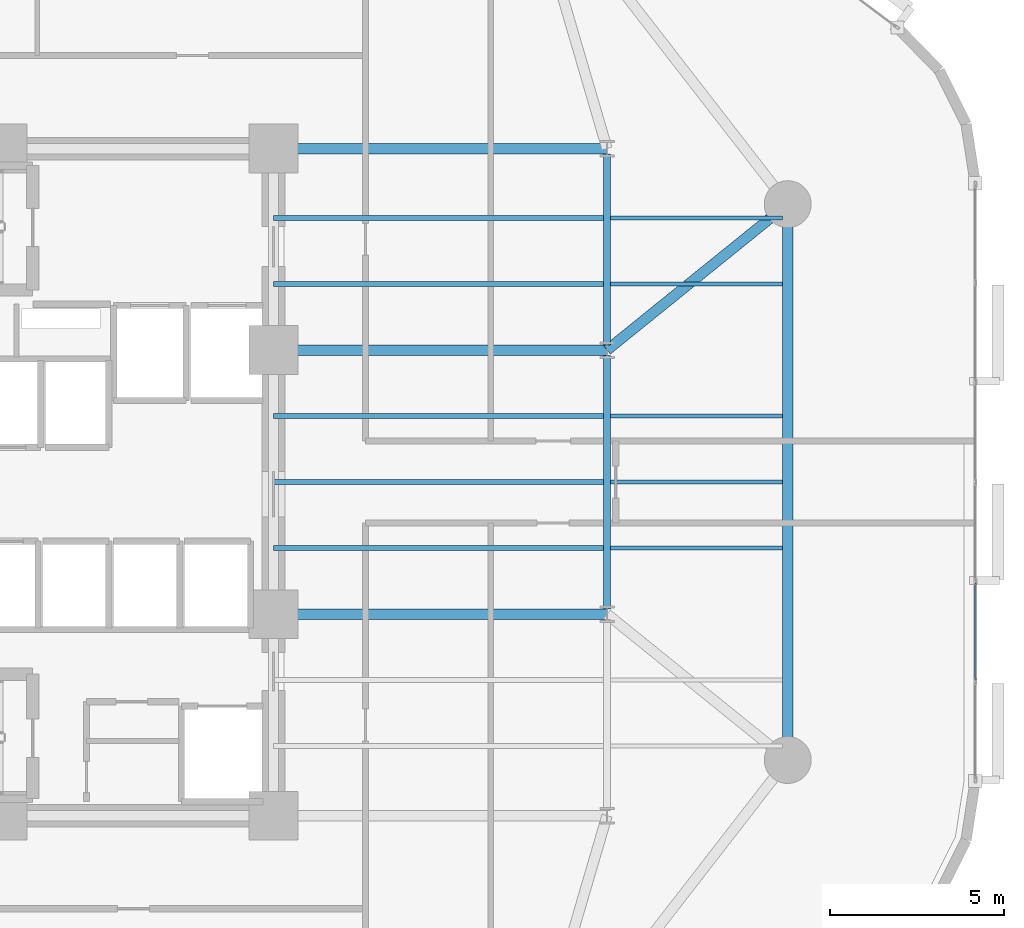
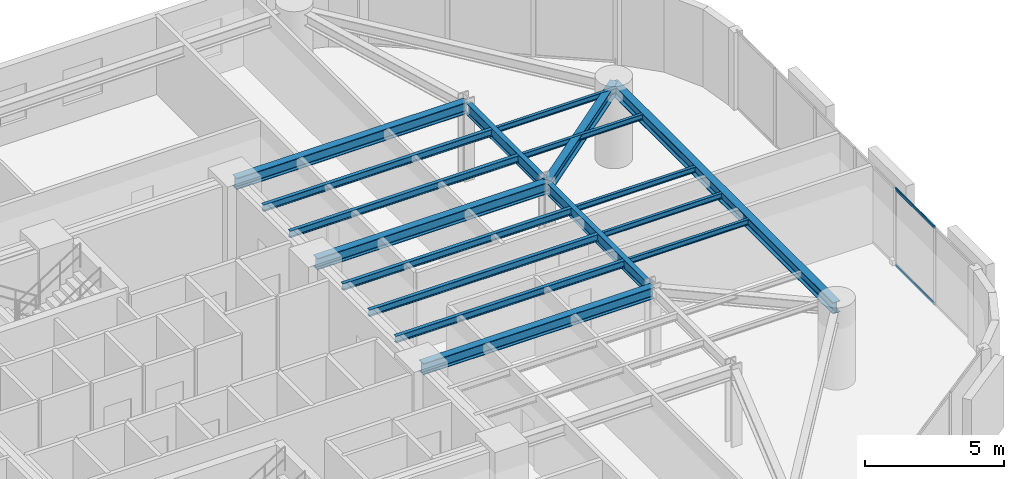
# One storey, part 5 of 15: 17 beams, 2 members, 1 element without a shape of its own.
"""IFC4 building model written with IfcOpenShell, lengths in metres."""

import ifcopenshell
import ifcopenshell.guid

model = None  # the IFC model being written
_history = None  # IfcOwnerHistory: only IFC2X3 demands one
_inside = {}  # id of a spatial element -> (the spatial element, [elements in it])
_under = {}  # id of a project, library or spatial element -> (it, [spatial elements below it])
_declared = {}  # id of a project -> (the project, [libraries it declares])
_typed = {}  # id of a type object -> (the type object, [elements of that type])
_made_of = {}  # id of a material, layer set ... -> (it, [elements and type objects made of it])


def new_model(schema):
    """Start an empty IFC model of exactly this schema.

    Asked for "IFC4X3", IfcOpenShell would pick the latest addendum, in which some entities
    have other attributes; the version numbers below select the first issue.
    IFC2X3 requires an IfcOwnerHistory on every rooted entity: one is made here for all.
    """
    global model, _history
    if schema == "IFC4X3":
        model = ifcopenshell.file(schema_version=(4, 3, 0, 0))
    else:
        model = ifcopenshell.file(schema=schema)
    _inside.clear()
    _under.clear()
    _declared.clear()
    _typed.clear()
    _made_of.clear()
    _history = None
    if model.schema == "IFC2X3":
        org = make("IfcOrganization", Name="unknown")
        user = make(
            "IfcPersonAndOrganization",
            ThePerson=make("IfcPerson", FamilyName="unknown"),
            TheOrganization=org,
        )
        app = make(
            "IfcApplication",
            ApplicationDeveloper=org,
            Version="unknown",
            ApplicationFullName="unknown",
            ApplicationIdentifier="unknown",
        )
        _history = make(
            "IfcOwnerHistory",
            OwningUser=user,
            OwningApplication=app,
            ChangeAction="ADDED",
            CreationDate=0,
        )
    return model


def make(cls, **values):
    """One entity of the class cls with the attributes given. An attribute that is None is left unset."""
    return model.create_entity(
        cls, **{name: value for name, value in values.items() if value is not None}
    )


def rooted(cls, **values):
    """An entity with a GlobalId (a new one), such as an element, a storey or a relation."""
    return make(cls, GlobalId=ifcopenshell.guid.new(), OwnerHistory=_history, **values)


def si_unit(unit_type, name, prefix=None):
    """IfcSIUnit, for example si_unit("LENGTHUNIT", "METRE", prefix="MILLI")."""
    return make("IfcSIUnit", UnitType=unit_type, Prefix=prefix, Name=name)


def assignment(units):
    """IfcUnitAssignment: the units of a project."""
    return None if units is None else make("IfcUnitAssignment", Units=units)


def point(xyz):
    """IfcCartesianPoint."""
    return None if xyz is None else make("IfcCartesianPoint", Coordinates=xyz)


def direction(xyz):
    """IfcDirection."""
    return None if xyz is None else make("IfcDirection", DirectionRatios=xyz)


def frame(location, z_axis=None, x_axis=None):
    """IfcAxis2Placement3D, a coordinate frame: its origin and axes. An axis left out is left unset."""
    return make(
        "IfcAxis2Placement3D",
        Location=point(location),
        Axis=direction(z_axis),
        RefDirection=direction(x_axis),
    )


def frame_2d(location, x_axis=None):
    """IfcAxis2Placement2D, a coordinate frame in the plane: its origin and x axis."""
    return make(
        "IfcAxis2Placement2D", Location=point(location), RefDirection=direction(x_axis)
    )


def origin():
    """The frame at (0, 0, 0) with its axes left unset."""
    return frame((0.0, 0.0, 0.0))


def origin_2d():
    """The frame at (0, 0) in the plane with its x axis left unset."""
    return frame_2d((0.0, 0.0))


def place(relative_to, where):
    """IfcLocalPlacement: puts the frame where relative to a parent placement (None: the world)."""
    return make(
        "IfcLocalPlacement", PlacementRelTo=relative_to, RelativePlacement=where
    )


def context(
    kind, dimensions, precision=None, world=None, true_north=None, identifier=None
):
    """IfcGeometricRepresentationContext, for example the 3D "Model" context."""
    return make(
        "IfcGeometricRepresentationContext",
        ContextIdentifier=identifier,
        ContextType=kind,
        CoordinateSpaceDimension=dimensions,
        Precision=precision,
        WorldCoordinateSystem=world,
        TrueNorth=true_north,
    )


def subcontext(parent, identifier, kind, view, scale=None):
    """IfcGeometricRepresentationSubContext, for example "Body" below "Model"."""
    return make(
        "IfcGeometricRepresentationSubContext",
        ContextIdentifier=identifier,
        ContextType=kind,
        ParentContext=parent,
        TargetScale=scale,
        TargetView=view,
    )


def project(units=None, contexts=None):
    """IfcProject with its units and contexts."""
    return rooted(
        "IfcProject",
        Name="project",
        RepresentationContexts=contexts,
        UnitsInContext=assignment(units),
    )


def spatial(cls, under=None, at=None, **own):
    """A site, building, storey or space (cls), placed at a placement, below another one or the project."""
    s = rooted(cls, ObjectPlacement=at, **own)
    if under is not None:
        _under.setdefault(under.id(), (under, []))[1].append(s)
    return s


def profile(cls, at=None, kind="AREA", **sizes):
    """A parametric profile (cls). Its sizes go by their IFC names, for example OverallWidth=200.0."""
    return make(cls, ProfileType=kind, Position=at, **sizes)


def hollow_rectangle(**sizes):
    """IfcRectangleHollowProfileDef."""
    return profile("IfcRectangleHollowProfileDef", **sizes)


def i_section(**sizes):
    """IfcIShapeProfileDef."""
    return profile("IfcIShapeProfileDef", **sizes)


def extrude(swept, where, along, depth):
    """IfcExtrudedAreaSolid: the profile swept, set in the frame where, extruded along a direction by depth."""
    return make(
        "IfcExtrudedAreaSolid",
        SweptArea=swept,
        Position=where,
        ExtrudedDirection=direction(along),
        Depth=depth,
    )


def shape(context_of_items, identifier, shape_type, items):
    """IfcShapeRepresentation: the items that make up one representation, for example the "Body"."""
    return make(
        "IfcShapeRepresentation",
        ContextOfItems=context_of_items,
        RepresentationIdentifier=identifier,
        RepresentationType=shape_type,
        Items=items,
    )


def material(Name=None, Category=None):
    """IfcMaterial."""
    return make("IfcMaterial", Name=Name, Category=Category)


def layer(
    of_material, thickness, ventilated=None, Name=None, Category=None, Priority=None
):
    """IfcMaterialLayer: one layer of a wall or slab, of a material (None: an air gap)."""
    return make(
        "IfcMaterialLayer",
        Material=of_material,
        LayerThickness=thickness,
        IsVentilated=ventilated,
        Name=Name,
        Category=Category,
        Priority=Priority,
    )


def layer_set(layers, Name=None):
    """IfcMaterialLayerSet."""
    return make("IfcMaterialLayerSet", MaterialLayers=layers, LayerSetName=Name)


def material_profile(
    of_material, cross_section, Name=None, Category=None, Priority=None
):
    """IfcMaterialProfile: a cross section and its material."""
    return make(
        "IfcMaterialProfile",
        Name=Name,
        Material=of_material,
        Profile=cross_section,
        Priority=Priority,
        Category=Category,
    )


def profile_set(profiles, Name=None, composite=None):
    """IfcMaterialProfileSet."""
    return make(
        "IfcMaterialProfileSet",
        Name=Name,
        MaterialProfiles=profiles,
        CompositeProfile=composite,
    )


def made_of(thing, what):
    """Note that an element or type object is made of a material, layer set ...; save() writes the relation."""
    if what is not None:
        _made_of.setdefault(what.id(), (what, []))[1].append(thing)
    return thing


def type_object(cls, material=None, **own):
    """A type object (cls), such as IfcWallType, which elements share."""
    return made_of(rooted(cls, **own), material)


def element(
    cls,
    number,
    at=None,
    inside=None,
    cuts=None,
    type_object=None,
    material=None,
    context=None,
    identifier="Body",
    shape_type=None,
    held_by="IfcProductDefinitionShape",
    body=None,
    shapes=None,
    **own,
):
    """One element of the class cls, such as IfcWall. Its Tag is "e" and its number.

    at: its placement. inside: the storey or other place that contains it. cuts: it is an
    opening in that element (IfcRelVoidsElement). A single representation is given by context,
    identifier, shape_type and body (its items); several are given by shapes. held_by: the class
    of the entity that holds the representations. save() writes the other relations.
    """
    e = rooted(cls, Tag="e%d" % number, ObjectPlacement=at, **own)
    if body is not None:
        shapes = [shape(context, identifier, shape_type, body)]
    if shapes is not None:
        e.Representation = make(held_by, Representations=shapes)
    if inside is not None:
        _inside.setdefault(inside.id(), (inside, []))[1].append(e)
    if cuts is not None:
        rooted(
            "IfcRelVoidsElement", RelatingBuildingElement=cuts, RelatedOpeningElement=e
        )
    if type_object is not None:
        _typed.setdefault(type_object.id(), (type_object, []))[1].append(e)
    return made_of(e, material)


def aggregate(whole, parts):
    """IfcRelAggregates: a whole, such as a stair, and the parts it consists of."""
    return rooted("IfcRelAggregates", RelatingObject=whole, RelatedObjects=parts)


def save(model, path):
    """Write the relations noted so far, then the file.

    IfcRelAggregates (storeys below a building ...), IfcRelContainedInSpatialStructure (elements
    in a storey), IfcRelDefinesByType, IfcRelAssociatesMaterial and IfcRelDeclares: one each for
    every whole, place, type object, material and project.
    """
    for whole, parts in _under.values():
        aggregate(whole, parts)
    for where, things in _inside.values():
        rooted(
            "IfcRelContainedInSpatialStructure",
            RelatedElements=things,
            RelatingStructure=where,
        )
    for kind, things in _typed.values():
        rooted("IfcRelDefinesByType", RelatedObjects=things, RelatingType=kind)
    for what, things in _made_of.values():
        rooted("IfcRelAssociatesMaterial", RelatedObjects=things, RelatingMaterial=what)
    for by, libraries in _declared.values():
        rooted("IfcRelDeclares", RelatingContext=by, RelatedDefinitions=libraries)
    model.write(path)


model = new_model("IFC4")

# Units and contexts
model_context = context("Model", 3, precision=1e-05, world=origin(), true_north=direction((0.0, 1.0)))
body_context = subcontext(model_context, "Body", "Model", "MODEL_VIEW")
ifc_project = project(units=[si_unit("LENGTHUNIT", "METRE"), si_unit("AREAUNIT", "SQUARE_METRE"), si_unit("VOLUMEUNIT", "CUBIC_METRE"), si_unit("PLANEANGLEUNIT", "RADIAN"), si_unit("MASSUNIT", "GRAM", prefix="KILO")], contexts=[model_context])

# Site, building, storey
site_placement = place(None, origin())
site = spatial("IfcSite", under=ifc_project, at=site_placement, CompositionType="ELEMENT")
building_placement = place(site_placement, origin())
building = spatial("IfcBuilding", under=site, at=building_placement, Name="An Khanh Terracotta Commons", CompositionType="ELEMENT")
storey_placement = place(building_placement, frame((0.0, 0.0, 86.300048828125)))
storey = spatial("IfcBuildingStorey", under=building, at=storey_placement, Name="L22", CompositionType="ELEMENT", Elevation=86.300048828125)

# Beams
ifc_material_1 = material(Name="Steel S355J2", Category="steel")
ifc_material_profile_1 = material_profile(ifc_material_1, i_section(OverallWidth=0.300048828125, OverallDepth=0.5, WebThickness=0.014404296875, FlangeThickness=0.028076171875, FilletRadius=0.027099609375, at=origin_2d()), Name="HEB500")
ifc_profile_set_1 = profile_set([ifc_material_profile_1], Name="Steel S355J2")
beam_type_1 = type_object("IfcBeamType", Name="BM-HEB500", PredefinedType="BEAM", material=ifc_profile_set_1)
beam_1_placement = place(storey_placement, frame((52.0, 16.0, 3.14990234375), z_axis=(0.0, 1.0, 0.0), x_axis=(-1.0, 0.0, 0.0)))
element("IfcBeam", 1, at=beam_1_placement, inside=storey, type_object=beam_type_1, Name="L22 Perimeter Ring Spandrel 3", PredefinedType="BEAM", context=body_context, shape_type="SweptSolid", body=[
    extrude(i_section(OverallWidth=0.300048828125, OverallDepth=0.5, WebThickness=0.014404296875, FlangeThickness=0.028076171875, FilletRadius=0.027099609375, at=origin_2d()), origin(), (0.0, 0.0, 1.0), 16.0),
])
for number, where, z_axis, x_axis, name in (
    (2, (37.199951171875, 20.199951171875, 3.14990234375), (1.0, 0.0, 0.0), (0.0, 1.0, 0.0), "L22 East Primary Floor Girder 2"),
    (3, (37.199951171875, 27.800048828125, 3.14990234375), (1.0, 0.0, 0.0), (0.0, 1.0, 0.0), "L22 East Primary Floor Girder 3"),
    (4, (37.199951171875, 33.60009765625, 3.14990234375), (1.0, 0.0, 0.0), (0.0, 1.0, 0.0), "L22 East Primary Floor Girder 4"),
):
    element("IfcBeam", number, at=place(storey_placement, frame(where, z_axis=z_axis, x_axis=x_axis)), inside=storey, type_object=beam_type_1, Name=name, PredefinedType="BEAM", context=body_context, shape_type="SweptSolid", body=[
        extrude(i_section(OverallWidth=0.300048828125, OverallDepth=0.5, WebThickness=0.014404296875, FlangeThickness=0.028076171875, FilletRadius=0.027099609375, at=origin_2d()), origin(), (0.0, 0.0, 1.0), 9.60009765625),
    ])
beam_2_placement = place(storey_placement, frame((52.0, 32.0, 3.14990234375), z_axis=(-0.777941866883, -0.628336256913, 0.0), x_axis=(0.628336256913, -0.777941866883, 0.0)))
element("IfcBeam", 5, at=beam_2_placement, inside=storey, type_object=beam_type_1, Name="L22 Mega-Column Tie Girder 4", PredefinedType="BEAM", context=body_context, shape_type="SweptSolid", body=[
    extrude(i_section(OverallWidth=0.300048828125, OverallDepth=0.5, WebThickness=0.014404296875, FlangeThickness=0.028076171875, FilletRadius=0.027099609375, at=origin_2d()), origin(), (0.0, 0.0, 1.0), 6.684326171875),
])
ifc_material_profile_2 = material_profile(ifc_material_1, i_section(OverallWidth=0.1201171875, OverallDepth=0.239990234375, WebThickness=0.006103515625, FlangeThickness=0.009765625, FilletRadius=0.014892578125, at=origin_2d()), Name="IPE240")
ifc_profile_set_2 = profile_set([ifc_material_profile_2], Name="Steel S355J2")
beam_type_2 = type_object("IfcBeamType", Name="BM-IPE240", PredefinedType="JOIST", material=ifc_profile_set_2)
for number, where, z_axis, x_axis, name in (
    (6, (46.89990234375, 22.10009765625, 3.280029296875), (1.0, 0.0, 0.0), (0.0, 1.0, 0.0), "L22 Riverfront Composite Joist 3"),
    (7, (46.89990234375, 24.0, 3.280029296875), (1.0, 0.0, 0.0), (0.0, 1.0, 0.0), "L22 Riverfront Composite Joist 4"),
    (8, (46.89990234375, 25.89990234375, 3.280029296875), (1.0, 0.0, 0.0), (0.0, 1.0, 0.0), "L22 Riverfront Composite Joist 5"),
    (9, (46.89990234375, 29.699951171875, 3.280029296875), (1.0, 0.0, 0.0), (0.0, 1.0, 0.0), "L22 Riverfront Composite Joist 6"),
    (10, (46.89990234375, 31.60009765625, 3.280029296875), (1.0, 0.0, 0.0), (0.0, 1.0, 0.0), "L22 Riverfront Composite Joist 7"),
):
    element("IfcBeam", number, at=place(storey_placement, frame(where, z_axis=z_axis, x_axis=x_axis)), inside=storey, type_object=beam_type_2, Name=name, PredefinedType="JOIST", context=body_context, shape_type="SweptSolid", body=[
        extrude(i_section(OverallWidth=0.1201171875, OverallDepth=0.239990234375, WebThickness=0.006103515625, FlangeThickness=0.009765625, FilletRadius=0.014892578125, at=origin_2d()), origin(), (0.0, 0.0, 1.0), 4.9501953125),
    ])
ifc_material_profile_3 = material_profile(ifc_material_1, i_section(OverallWidth=0.14990234375, OverallDepth=0.300048828125, WebThickness=0.007080078125, FlangeThickness=0.0107421875, FilletRadius=0.014892578125, at=origin_2d()), Name="IPE300")
ifc_profile_set_3 = profile_set([ifc_material_profile_3], Name="Steel S355J2")
beam_type_3 = type_object("IfcBeamType", Name="BM-IPE300", PredefinedType="JOIST", material=ifc_profile_set_3)
for number, where, z_axis, x_axis, name in (
    (11, (37.199951171875, 22.10009765625, 3.25), (1.0, 0.0, 0.0), (0.0, 1.0, 0.0), "L22 Inboard Composite Joist 3"),
    (12, (37.199951171875, 24.0, 3.25), (1.0, 0.0, 0.0), (0.0, 1.0, 0.0), "L22 Inboard Composite Joist 4"),
    (13, (37.199951171875, 25.89990234375, 3.25), (1.0, 0.0, 0.0), (0.0, 1.0, 0.0), "L22 Inboard Composite Joist 5"),
    (14, (37.199951171875, 29.699951171875, 3.25), (1.0, 0.0, 0.0), (0.0, 1.0, 0.0), "L22 Inboard Composite Joist 6"),
    (15, (37.199951171875, 31.60009765625, 3.25), (1.0, 0.0, 0.0), (0.0, 1.0, 0.0), "L22 Inboard Composite Joist 7"),
):
    element("IfcBeam", number, at=place(storey_placement, frame(where, z_axis=z_axis, x_axis=x_axis)), inside=storey, type_object=beam_type_3, Name=name, PredefinedType="JOIST", context=body_context, shape_type="SweptSolid", body=[
        extrude(i_section(OverallWidth=0.14990234375, OverallDepth=0.300048828125, WebThickness=0.007080078125, FlangeThickness=0.0107421875, FilletRadius=0.014892578125, at=origin_2d()), origin(), (0.0, 0.0, 1.0), 9.5),
    ])
ifc_material_profile_4 = material_profile(ifc_material_1, i_section(OverallWidth=0.199951171875, OverallDepth=0.5, WebThickness=0.01025390625, FlangeThickness=0.01611328125, FilletRadius=0.02099609375, at=origin_2d()), Name="IPE500")
ifc_profile_set_4 = profile_set([ifc_material_profile_4], Name="Steel S355J2")
beam_type_4 = type_object("IfcBeamType", Name="BM-IPE500", PredefinedType="BEAM", material=ifc_profile_set_4)
beam_3_placement = place(storey_placement, frame((46.800048828125, 20.35009765625, 3.14990234375), z_axis=(0.0, 1.0, 0.0), x_axis=(-1.0, 0.0, 0.0)))
element("IfcBeam", 16, at=beam_3_placement, inside=storey, type_object=beam_type_4, Name="L22 East Spine Girder 2", PredefinedType="BEAM", context=body_context, shape_type="SweptSolid", body=[
    extrude(i_section(OverallWidth=0.199951171875, OverallDepth=0.5, WebThickness=0.01025390625, FlangeThickness=0.01611328125, FilletRadius=0.02099609375, at=origin_2d()), origin(), (0.0, 0.0, 1.0), 7.2998046875),
])
beam_4_placement = place(storey_placement, frame((46.800048828125, 27.949951171875, 3.14990234375), z_axis=(0.0, 1.0, 0.0), x_axis=(-1.0, 0.0, 0.0)))
element("IfcBeam", 17, at=beam_4_placement, inside=storey, type_object=beam_type_4, Name="L22 East Spine Girder 3", PredefinedType="BEAM", context=body_context, shape_type="SweptSolid", body=[
    extrude(i_section(OverallWidth=0.199951171875, OverallDepth=0.5, WebThickness=0.01025390625, FlangeThickness=0.01611328125, FilletRadius=0.02099609375, at=origin_2d()), origin(), (0.0, 0.0, 1.0), 5.5),
])

# Curtain wall, members
ifc_material_2 = material(Name="Anodised Aluminium 6063-T6", Category="aluminium")
ifc_layer = layer(ifc_material_2, 0.199951171875, Name="Anodised Aluminium 6063-T6")
ifc_layer_set = layer_set([ifc_layer], Name="Anodised Aluminium 6063-T6")
curtain_wall_type = type_object("IfcCurtainWallType", Name="CW-SYS-02", PredefinedType="USERDEFINED", material=ifc_layer_set)
curtain_wall_placement = place(storey_placement, origin())
curtain_wall = element("IfcCurtainWall", 18, at=curtain_wall_placement, inside=storey, type_object=curtain_wall_type, Name="L22 CW-02 Unitised Curtain Wall CW-L22-12", ObjectType="UNITISED CURTAIN WALL", PredefinedType="USERDEFINED")
ifc_material_profile_5 = material_profile(ifc_material_2, hollow_rectangle(XDim=0.06005859375, YDim=0.1201171875, WallThickness=0.003662109375, InnerFilletRadius=0.003662109375, OuterFilletRadius=0.007080078125, at=origin_2d()), Name="RHS120x60x3.6")
ifc_profile_set_5 = profile_set([ifc_material_profile_5], Name="Anodised Aluminium 6063-T6")
member_type = type_object("IfcMemberType", Name="CWT-RHS120x60x3.6", PredefinedType="USERDEFINED", material=ifc_profile_set_5)
member_1_placement = place(storey_placement, frame((57.39990234375, 18.3017578125, 0.030029296875), z_axis=(0.0, 1.0, 0.0), x_axis=(-1.0, 0.0, 0.0)))
member_1 = element("IfcMember", 19, at=member_1_placement, type_object=member_type, Name="CW-02 transom 2.1", ObjectType="TRANSOM", PredefinedType="USERDEFINED", context=body_context, shape_type="SweptSolid", body=[
    extrude(hollow_rectangle(XDim=0.06005859375, YDim=0.1201171875, WallThickness=0.003662109375, InnerFilletRadius=0.003662109375, OuterFilletRadius=0.007080078125, at=origin_2d()), origin(), (0.0, 0.0, 1.0), 2.796630859375),
])
member_2_placement = place(storey_placement, frame((57.39990234375, 18.3017578125, 3.369873046875), z_axis=(0.0, 1.0, 0.0), x_axis=(-1.0, 0.0, 0.0)))
member_2 = element("IfcMember", 20, at=member_2_placement, type_object=member_type, Name="CW-02 transom 2.2", ObjectType="TRANSOM", PredefinedType="USERDEFINED", context=body_context, shape_type="SweptSolid", body=[
    extrude(hollow_rectangle(XDim=0.06005859375, YDim=0.1201171875, WallThickness=0.003662109375, InnerFilletRadius=0.003662109375, OuterFilletRadius=0.007080078125, at=origin_2d()), origin(), (0.0, 0.0, 1.0), 2.796630859375),
])
aggregate(curtain_wall, [member_1, member_2])

save(model, "model.ifc")
